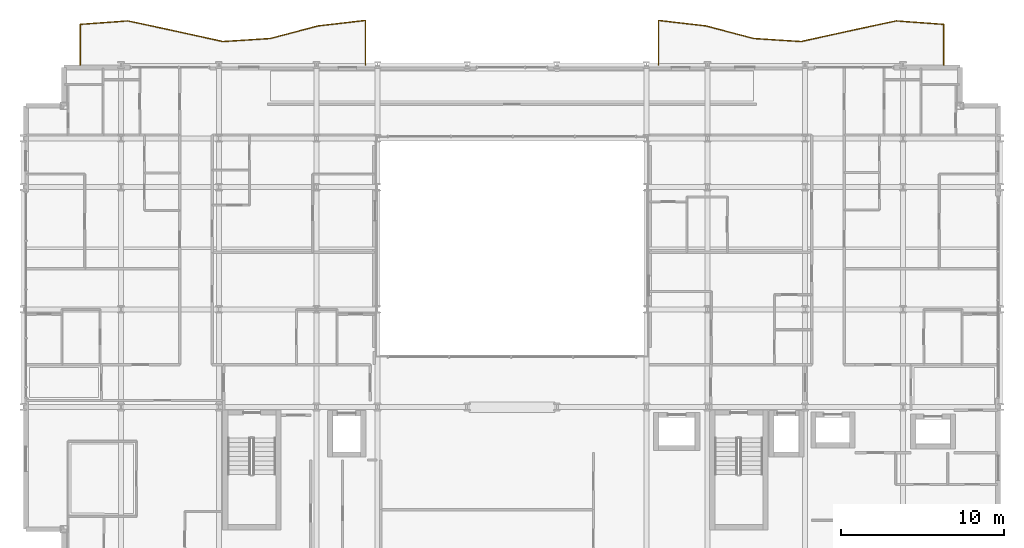
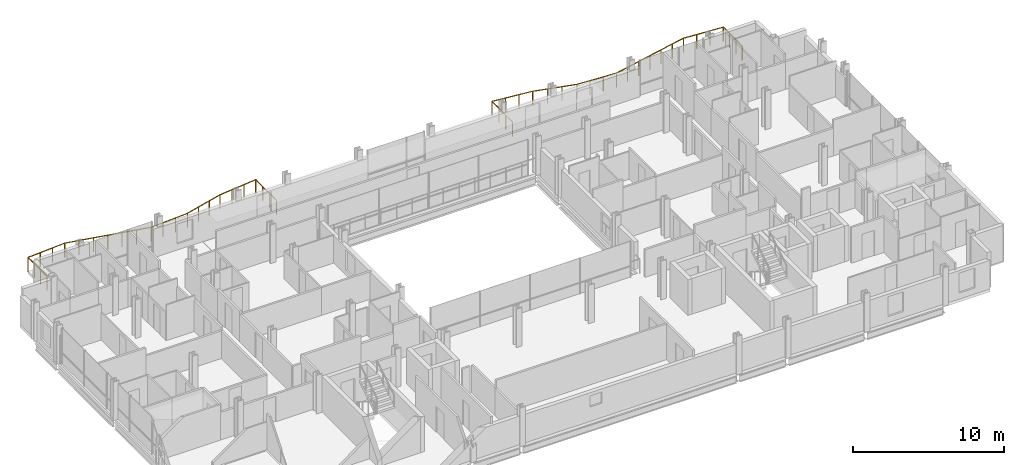
# One storey, part 41 of 41: 2 railings.
"""IFC4 building model written with IfcOpenShell, lengths in metres."""

import ifcopenshell
import ifcopenshell.guid

model = None  # the IFC model being written
_history = None  # IfcOwnerHistory: only IFC2X3 demands one
_inside = {}  # id of a spatial element -> (the spatial element, [elements in it])
_under = {}  # id of a project, library or spatial element -> (it, [spatial elements below it])
_declared = {}  # id of a project -> (the project, [libraries it declares])
_typed = {}  # id of a type object -> (the type object, [elements of that type])
_made_of = {}  # id of a material, layer set ... -> (it, [elements and type objects made of it])


def new_model(schema):
    """Start an empty IFC model of exactly this schema.

    Asked for "IFC4X3", IfcOpenShell would pick the latest addendum, in which some entities
    have other attributes; the version numbers below select the first issue.
    IFC2X3 requires an IfcOwnerHistory on every rooted entity: one is made here for all.
    """
    global model, _history
    if schema == "IFC4X3":
        model = ifcopenshell.file(schema_version=(4, 3, 0, 0))
    else:
        model = ifcopenshell.file(schema=schema)
    _inside.clear()
    _under.clear()
    _declared.clear()
    _typed.clear()
    _made_of.clear()
    _history = None
    if model.schema == "IFC2X3":
        org = make("IfcOrganization", Name="unknown")
        user = make(
            "IfcPersonAndOrganization",
            ThePerson=make("IfcPerson", FamilyName="unknown"),
            TheOrganization=org,
        )
        app = make(
            "IfcApplication",
            ApplicationDeveloper=org,
            Version="unknown",
            ApplicationFullName="unknown",
            ApplicationIdentifier="unknown",
        )
        _history = make(
            "IfcOwnerHistory",
            OwningUser=user,
            OwningApplication=app,
            ChangeAction="ADDED",
            CreationDate=0,
        )
    return model


def make(cls, **values):
    """One entity of the class cls with the attributes given. An attribute that is None is left unset."""
    return model.create_entity(
        cls, **{name: value for name, value in values.items() if value is not None}
    )


def rooted(cls, **values):
    """An entity with a GlobalId (a new one), such as an element, a storey or a relation."""
    return make(cls, GlobalId=ifcopenshell.guid.new(), OwnerHistory=_history, **values)


def si_unit(unit_type, name, prefix=None):
    """IfcSIUnit, for example si_unit("LENGTHUNIT", "METRE", prefix="MILLI")."""
    return make("IfcSIUnit", UnitType=unit_type, Prefix=prefix, Name=name)


def assignment(units):
    """IfcUnitAssignment: the units of a project."""
    return None if units is None else make("IfcUnitAssignment", Units=units)


def point(xyz):
    """IfcCartesianPoint."""
    return None if xyz is None else make("IfcCartesianPoint", Coordinates=xyz)


def direction(xyz):
    """IfcDirection."""
    return None if xyz is None else make("IfcDirection", DirectionRatios=xyz)


def frame(location, z_axis=None, x_axis=None):
    """IfcAxis2Placement3D, a coordinate frame: its origin and axes. An axis left out is left unset."""
    return make(
        "IfcAxis2Placement3D",
        Location=point(location),
        Axis=direction(z_axis),
        RefDirection=direction(x_axis),
    )


def frame_2d(location, x_axis=None):
    """IfcAxis2Placement2D, a coordinate frame in the plane: its origin and x axis."""
    return make(
        "IfcAxis2Placement2D", Location=point(location), RefDirection=direction(x_axis)
    )


def origin():
    """The frame at (0, 0, 0) with its axes left unset."""
    return frame((0.0, 0.0, 0.0))


def origin_2d():
    """The frame at (0, 0) in the plane with its x axis left unset."""
    return frame_2d((0.0, 0.0))


def place(relative_to, where):
    """IfcLocalPlacement: puts the frame where relative to a parent placement (None: the world)."""
    return make(
        "IfcLocalPlacement", PlacementRelTo=relative_to, RelativePlacement=where
    )


def context(
    kind, dimensions, precision=None, world=None, true_north=None, identifier=None
):
    """IfcGeometricRepresentationContext, for example the 3D "Model" context."""
    return make(
        "IfcGeometricRepresentationContext",
        ContextIdentifier=identifier,
        ContextType=kind,
        CoordinateSpaceDimension=dimensions,
        Precision=precision,
        WorldCoordinateSystem=world,
        TrueNorth=true_north,
    )


def subcontext(parent, identifier, kind, view, scale=None):
    """IfcGeometricRepresentationSubContext, for example "Body" below "Model"."""
    return make(
        "IfcGeometricRepresentationSubContext",
        ContextIdentifier=identifier,
        ContextType=kind,
        ParentContext=parent,
        TargetScale=scale,
        TargetView=view,
    )


def project(units=None, contexts=None):
    """IfcProject with its units and contexts."""
    return rooted(
        "IfcProject",
        Name="project",
        RepresentationContexts=contexts,
        UnitsInContext=assignment(units),
    )


def spatial(cls, under=None, at=None, **own):
    """A site, building, storey or space (cls), placed at a placement, below another one or the project."""
    s = rooted(cls, ObjectPlacement=at, **own)
    if under is not None:
        _under.setdefault(under.id(), (under, []))[1].append(s)
    return s


def profile(cls, at=None, kind="AREA", **sizes):
    """A parametric profile (cls). Its sizes go by their IFC names, for example OverallWidth=200.0."""
    return make(cls, ProfileType=kind, Position=at, **sizes)


def circle(**sizes):
    """IfcCircleProfileDef."""
    return profile("IfcCircleProfileDef", **sizes)


def extrude(swept, where, along, depth):
    """IfcExtrudedAreaSolid: the profile swept, set in the frame where, extruded along a direction by depth."""
    return make(
        "IfcExtrudedAreaSolid",
        SweptArea=swept,
        Position=where,
        ExtrudedDirection=direction(along),
        Depth=depth,
    )


def shape(context_of_items, identifier, shape_type, items):
    """IfcShapeRepresentation: the items that make up one representation, for example the "Body"."""
    return make(
        "IfcShapeRepresentation",
        ContextOfItems=context_of_items,
        RepresentationIdentifier=identifier,
        RepresentationType=shape_type,
        Items=items,
    )


def material(Name=None, Category=None):
    """IfcMaterial."""
    return make("IfcMaterial", Name=Name, Category=Category)


def made_of(thing, what):
    """Note that an element or type object is made of a material, layer set ...; save() writes the relation."""
    if what is not None:
        _made_of.setdefault(what.id(), (what, []))[1].append(thing)
    return thing


def type_object(cls, material=None, **own):
    """A type object (cls), such as IfcWallType, which elements share."""
    return made_of(rooted(cls, **own), material)


def element(
    cls,
    number,
    at=None,
    inside=None,
    cuts=None,
    type_object=None,
    material=None,
    context=None,
    identifier="Body",
    shape_type=None,
    held_by="IfcProductDefinitionShape",
    body=None,
    shapes=None,
    **own,
):
    """One element of the class cls, such as IfcWall. Its Tag is "e" and its number.

    at: its placement. inside: the storey or other place that contains it. cuts: it is an
    opening in that element (IfcRelVoidsElement). A single representation is given by context,
    identifier, shape_type and body (its items); several are given by shapes. held_by: the class
    of the entity that holds the representations. save() writes the other relations.
    """
    e = rooted(cls, Tag="e%d" % number, ObjectPlacement=at, **own)
    if body is not None:
        shapes = [shape(context, identifier, shape_type, body)]
    if shapes is not None:
        e.Representation = make(held_by, Representations=shapes)
    if inside is not None:
        _inside.setdefault(inside.id(), (inside, []))[1].append(e)
    if cuts is not None:
        rooted(
            "IfcRelVoidsElement", RelatingBuildingElement=cuts, RelatedOpeningElement=e
        )
    if type_object is not None:
        _typed.setdefault(type_object.id(), (type_object, []))[1].append(e)
    return made_of(e, material)


def aggregate(whole, parts):
    """IfcRelAggregates: a whole, such as a stair, and the parts it consists of."""
    return rooted("IfcRelAggregates", RelatingObject=whole, RelatedObjects=parts)


def save(model, path):
    """Write the relations noted so far, then the file.

    IfcRelAggregates (storeys below a building ...), IfcRelContainedInSpatialStructure (elements
    in a storey), IfcRelDefinesByType, IfcRelAssociatesMaterial and IfcRelDeclares: one each for
    every whole, place, type object, material and project.
    """
    for whole, parts in _under.values():
        aggregate(whole, parts)
    for where, things in _inside.values():
        rooted(
            "IfcRelContainedInSpatialStructure",
            RelatedElements=things,
            RelatingStructure=where,
        )
    for kind, things in _typed.values():
        rooted("IfcRelDefinesByType", RelatedObjects=things, RelatingType=kind)
    for what, things in _made_of.values():
        rooted("IfcRelAssociatesMaterial", RelatedObjects=things, RelatingMaterial=what)
    for by, libraries in _declared.values():
        rooted("IfcRelDeclares", RelatingContext=by, RelatedDefinitions=libraries)
    model.write(path)


model = new_model("IFC4")

# Units and contexts
model_context = context("Model", 3, precision=1e-05, world=origin(), true_north=direction((0.0, 1.0)))
body_context = subcontext(model_context, "Body", "Model", "MODEL_VIEW")
ifc_project = project(units=[si_unit("LENGTHUNIT", "METRE"), si_unit("AREAUNIT", "SQUARE_METRE"), si_unit("VOLUMEUNIT", "CUBIC_METRE"), si_unit("PLANEANGLEUNIT", "RADIAN"), si_unit("MASSUNIT", "GRAM", prefix="KILO")], contexts=[model_context])

# Site, building, storey
site_placement = place(None, origin())
site = spatial("IfcSite", under=ifc_project, at=site_placement, CompositionType="ELEMENT")
building_placement = place(site_placement, origin())
building = spatial("IfcBuilding", under=site, at=building_placement, Name="Brevholm Reach", CompositionType="ELEMENT")
storey_placement = place(building_placement, frame((0.0, 0.0, 49.699951171875)))
storey = spatial("IfcBuildingStorey", under=building, at=storey_placement, Name="L13", CompositionType="ELEMENT", Elevation=49.699951171875)

# Railings
ifc_material = material(Name="Brushed Stainless Steel EN 1.4401 and Laminated Glass", Category="steel")
railing_type = type_object("IfcRailingType", Name="RAL-BALC-1150", PredefinedType="BALUSTRADE", material=ifc_material)
railing_1_placement = place(storey_placement, frame((56.5, 31.0, 0.0)))
element("IfcRailing", 1, at=railing_1_placement, inside=storey, type_object=railing_type, Name="L13 Guard Balustrade RAL-L13-BAL-NE", PredefinedType="BALUSTRADE", context=body_context, shape_type="SweptSolid", body=[
    extrude(circle(Radius=0.02392578125, at=origin_2d()), frame((0.0, 0.0, 1.1259765625), z_axis=(0.0, 1.0, 0.0), x_axis=(-1.0, 0.0, 0.0)), (0.0, 0.0, 1.0), 2.499755859375),
    extrude(circle(Radius=0.02392578125, at=origin_2d()), frame((0.0, 2.499755859375, 1.1259765625), z_axis=(-0.997334760815, 0.072961461535, 0.0), x_axis=(-0.072961461535, -0.997334760815, 0.0)), (0.0, 0.0, 1.0), 2.924560546875),
    extrude(circle(Radius=0.02392578125, at=origin_2d()), frame((-2.916748046875, 2.713134765625, 1.1259765625), z_axis=(-0.977716094956, -0.209931507079, 0.0), x_axis=(0.209931507079, -0.977716094956, 0.0)), (0.0, 0.0, 1.0), 2.98291015625),
    extrude(circle(Radius=0.02392578125, at=origin_2d()), frame((-5.833251953125, 2.0869140625, 1.1259765625), z_axis=(-0.976615982801, -0.214991214093, 0.0), x_axis=(0.214991214093, -0.976615982801, 0.0)), (0.0, 0.0, 1.0), 2.986572265625),
    extrude(circle(Radius=0.02392578125, at=origin_2d()), frame((-8.75, 1.44482421875, 1.1259765625), z_axis=(-0.997945514781, 0.06406831923, 0.0), x_axis=(-0.06406831923, -0.997945514781, 0.0)), (0.0, 0.0, 1.0), 2.9228515625),
    extrude(circle(Radius=0.02392578125, at=origin_2d()), frame((-11.666748046875, 1.632080078125, 1.1259765625), z_axis=(-0.966868735292, 0.255274065889, 0.0), x_axis=(-0.255274065889, -0.966868735292, 0.0)), (0.0, 0.0, 1.0), 3.016357421875),
    extrude(circle(Radius=0.02392578125, at=origin_2d()), frame((-14.583251953125, 2.402099609375, 1.1259765625), z_axis=(-0.99329006652, 0.11564965954, 0.0), x_axis=(-0.11564965954, -0.99329006652, 0.0)), (0.0, 0.0, 1.0), 2.9365234375),
    extrude(circle(Radius=0.02392578125, at=origin_2d()), frame((-17.5, 2.74169921875, 1.1259765625), z_axis=(0.0, -1.0, 0.0), x_axis=(1.0, 0.0, 0.0)), (0.0, 0.0, 1.0), 2.74169921875),
    extrude(circle(Radius=0.02099609375, at=origin_2d()), origin(), (0.0, 0.0, 1.0), 1.101806640625),
    extrude(circle(Radius=0.02099609375, at=origin_2d()), frame((0.0, 0.833251953125, 0.0)), (0.0, 0.0, 1.0), 1.101806640625),
    extrude(circle(Radius=0.02099609375, at=origin_2d()), frame((0.0, 1.66650390625, 0.0)), (0.0, 0.0, 1.0), 1.101806640625),
    extrude(circle(Radius=0.02099609375, at=origin_2d()), frame((0.0, 2.499755859375, 0.0)), (0.0, 0.0, 1.0), 1.101806640625),
    extrude(circle(Radius=0.02099609375, at=origin_2d()), frame((-0.97216796875, 2.57080078125, 0.0)), (0.0, 0.0, 1.0), 1.101806640625),
    extrude(circle(Radius=0.02099609375, at=origin_2d()), frame((-1.944580078125, 2.64208984375, 0.0)), (0.0, 0.0, 1.0), 1.101806640625),
    extrude(circle(Radius=0.02099609375, at=origin_2d()), frame((-2.916748046875, 2.713134765625, 0.0)), (0.0, 0.0, 1.0), 1.101806640625),
    extrude(circle(Radius=0.02099609375, at=origin_2d()), frame((-3.888916015625, 2.50439453125, 0.0)), (0.0, 0.0, 1.0), 1.101806640625),
    extrude(circle(Radius=0.02099609375, at=origin_2d()), frame((-4.861083984375, 2.295654296875, 0.0)), (0.0, 0.0, 1.0), 1.101806640625),
    extrude(circle(Radius=0.02099609375, at=origin_2d()), frame((-5.833251953125, 2.0869140625, 0.0)), (0.0, 0.0, 1.0), 1.101806640625),
    extrude(circle(Radius=0.02099609375, at=origin_2d()), frame((-6.805419921875, 1.872802734375, 0.0)), (0.0, 0.0, 1.0), 1.101806640625),
    extrude(circle(Radius=0.02099609375, at=origin_2d()), frame((-7.77783203125, 1.658935546875, 0.0)), (0.0, 0.0, 1.0), 1.101806640625),
    extrude(circle(Radius=0.02099609375, at=origin_2d()), frame((-8.75, 1.44482421875, 0.0)), (0.0, 0.0, 1.0), 1.101806640625),
    extrude(circle(Radius=0.02099609375, at=origin_2d()), frame((-9.72216796875, 1.50732421875, 0.0)), (0.0, 0.0, 1.0), 1.101806640625),
    extrude(circle(Radius=0.02099609375, at=origin_2d()), frame((-10.694580078125, 1.569580078125, 0.0)), (0.0, 0.0, 1.0), 1.101806640625),
    extrude(circle(Radius=0.02099609375, at=origin_2d()), frame((-11.666748046875, 1.632080078125, 0.0)), (0.0, 0.0, 1.0), 1.101806640625),
    extrude(circle(Radius=0.02099609375, at=origin_2d()), frame((-12.638916015625, 1.888671875, 0.0)), (0.0, 0.0, 1.0), 1.101806640625),
    extrude(circle(Radius=0.02099609375, at=origin_2d()), frame((-13.611083984375, 2.1455078125, 0.0)), (0.0, 0.0, 1.0), 1.101806640625),
    extrude(circle(Radius=0.02099609375, at=origin_2d()), frame((-14.583251953125, 2.402099609375, 0.0)), (0.0, 0.0, 1.0), 1.101806640625),
    extrude(circle(Radius=0.02099609375, at=origin_2d()), frame((-15.555419921875, 2.515380859375, 0.0)), (0.0, 0.0, 1.0), 1.101806640625),
    extrude(circle(Radius=0.02099609375, at=origin_2d()), frame((-16.52783203125, 2.62841796875, 0.0)), (0.0, 0.0, 1.0), 1.101806640625),
    extrude(circle(Radius=0.02099609375, at=origin_2d()), frame((-17.5, 2.74169921875, 0.0)), (0.0, 0.0, 1.0), 1.101806640625),
    extrude(circle(Radius=0.02099609375, at=origin_2d()), frame((-17.5, 1.827880859375, 0.0)), (0.0, 0.0, 1.0), 1.101806640625),
    extrude(circle(Radius=0.02099609375, at=origin_2d()), frame((-17.5, 0.913818359375, 0.0)), (0.0, 0.0, 1.0), 1.101806640625),
    extrude(circle(Radius=0.02099609375, at=origin_2d()), frame((-17.5, 0.0, 0.0)), (0.0, 0.0, 1.0), 1.101806640625),
])
railing_2_placement = place(storey_placement, frame((21.0, 31.0, 0.0)))
element("IfcRailing", 2, at=railing_2_placement, inside=storey, type_object=railing_type, Name="L13 Guard Balustrade RAL-L13-BAL-NW", PredefinedType="BALUSTRADE", context=body_context, shape_type="SweptSolid", body=[
    extrude(circle(Radius=0.02392578125, at=origin_2d()), frame((0.0, 0.0, 1.1259765625), z_axis=(0.0, 1.0, 0.0), x_axis=(-1.0, 0.0, 0.0)), (0.0, 0.0, 1.0), 2.74169921875),
    extrude(circle(Radius=0.02392578125, at=origin_2d()), frame((0.0, 2.74169921875, 1.1259765625), z_axis=(-0.99329006652, -0.11564965954, 0.0), x_axis=(0.11564965954, -0.99329006652, 0.0)), (0.0, 0.0, 1.0), 2.9365234375),
    extrude(circle(Radius=0.02392578125, at=origin_2d()), frame((-2.916748046875, 2.402099609375, 1.1259765625), z_axis=(-0.966868735292, -0.255274065889, 0.0), x_axis=(0.255274065889, -0.966868735292, 0.0)), (0.0, 0.0, 1.0), 3.016357421875),
    extrude(circle(Radius=0.02392578125, at=origin_2d()), frame((-5.833251953125, 1.632080078125, 1.1259765625), z_axis=(-0.997945514781, -0.06406831923, 0.0), x_axis=(0.06406831923, -0.997945514781, 0.0)), (0.0, 0.0, 1.0), 2.9228515625),
    extrude(circle(Radius=0.02392578125, at=origin_2d()), frame((-8.75, 1.44482421875, 1.1259765625), z_axis=(-0.976615982801, 0.214991214093, 0.0), x_axis=(-0.214991214093, -0.976615982801, 0.0)), (0.0, 0.0, 1.0), 2.986572265625),
    extrude(circle(Radius=0.02392578125, at=origin_2d()), frame((-11.666748046875, 2.0869140625, 1.1259765625), z_axis=(-0.977716094956, 0.209931507079, 0.0), x_axis=(-0.209931507079, -0.977716094956, 0.0)), (0.0, 0.0, 1.0), 2.98291015625),
    extrude(circle(Radius=0.02392578125, at=origin_2d()), frame((-14.583251953125, 2.713134765625, 1.1259765625), z_axis=(-0.997334760815, -0.072961461535, 0.0), x_axis=(0.072961461535, -0.997334760815, 0.0)), (0.0, 0.0, 1.0), 2.924560546875),
    extrude(circle(Radius=0.02392578125, at=origin_2d()), frame((-17.5, 2.499755859375, 1.1259765625), z_axis=(0.0, -1.0, 0.0), x_axis=(1.0, 0.0, 0.0)), (0.0, 0.0, 1.0), 2.499755859375),
    extrude(circle(Radius=0.02099609375, at=origin_2d()), origin(), (0.0, 0.0, 1.0), 1.101806640625),
    extrude(circle(Radius=0.02099609375, at=origin_2d()), frame((0.0, 0.913818359375, 0.0)), (0.0, 0.0, 1.0), 1.101806640625),
    extrude(circle(Radius=0.02099609375, at=origin_2d()), frame((0.0, 1.827880859375, 0.0)), (0.0, 0.0, 1.0), 1.101806640625),
    extrude(circle(Radius=0.02099609375, at=origin_2d()), frame((0.0, 2.74169921875, 0.0)), (0.0, 0.0, 1.0), 1.101806640625),
    extrude(circle(Radius=0.02099609375, at=origin_2d()), frame((-0.97216796875, 2.62841796875, 0.0)), (0.0, 0.0, 1.0), 1.101806640625),
    extrude(circle(Radius=0.02099609375, at=origin_2d()), frame((-1.944580078125, 2.515380859375, 0.0)), (0.0, 0.0, 1.0), 1.101806640625),
    extrude(circle(Radius=0.02099609375, at=origin_2d()), frame((-2.916748046875, 2.402099609375, 0.0)), (0.0, 0.0, 1.0), 1.101806640625),
    extrude(circle(Radius=0.02099609375, at=origin_2d()), frame((-3.888916015625, 2.1455078125, 0.0)), (0.0, 0.0, 1.0), 1.101806640625),
    extrude(circle(Radius=0.02099609375, at=origin_2d()), frame((-4.861083984375, 1.888671875, 0.0)), (0.0, 0.0, 1.0), 1.101806640625),
    extrude(circle(Radius=0.02099609375, at=origin_2d()), frame((-5.833251953125, 1.632080078125, 0.0)), (0.0, 0.0, 1.0), 1.101806640625),
    extrude(circle(Radius=0.02099609375, at=origin_2d()), frame((-6.805419921875, 1.569580078125, 0.0)), (0.0, 0.0, 1.0), 1.101806640625),
    extrude(circle(Radius=0.02099609375, at=origin_2d()), frame((-7.77783203125, 1.50732421875, 0.0)), (0.0, 0.0, 1.0), 1.101806640625),
    extrude(circle(Radius=0.02099609375, at=origin_2d()), frame((-8.75, 1.44482421875, 0.0)), (0.0, 0.0, 1.0), 1.101806640625),
    extrude(circle(Radius=0.02099609375, at=origin_2d()), frame((-9.72216796875, 1.658935546875, 0.0)), (0.0, 0.0, 1.0), 1.101806640625),
    extrude(circle(Radius=0.02099609375, at=origin_2d()), frame((-10.694580078125, 1.872802734375, 0.0)), (0.0, 0.0, 1.0), 1.101806640625),
    extrude(circle(Radius=0.02099609375, at=origin_2d()), frame((-11.666748046875, 2.0869140625, 0.0)), (0.0, 0.0, 1.0), 1.101806640625),
    extrude(circle(Radius=0.02099609375, at=origin_2d()), frame((-12.638916015625, 2.295654296875, 0.0)), (0.0, 0.0, 1.0), 1.101806640625),
    extrude(circle(Radius=0.02099609375, at=origin_2d()), frame((-13.611083984375, 2.50439453125, 0.0)), (0.0, 0.0, 1.0), 1.101806640625),
    extrude(circle(Radius=0.02099609375, at=origin_2d()), frame((-14.583251953125, 2.713134765625, 0.0)), (0.0, 0.0, 1.0), 1.101806640625),
    extrude(circle(Radius=0.02099609375, at=origin_2d()), frame((-15.555419921875, 2.64208984375, 0.0)), (0.0, 0.0, 1.0), 1.101806640625),
    extrude(circle(Radius=0.02099609375, at=origin_2d()), frame((-16.52783203125, 2.57080078125, 0.0)), (0.0, 0.0, 1.0), 1.101806640625),
    extrude(circle(Radius=0.02099609375, at=origin_2d()), frame((-17.5, 2.499755859375, 0.0)), (0.0, 0.0, 1.0), 1.101806640625),
    extrude(circle(Radius=0.02099609375, at=origin_2d()), frame((-17.5, 1.66650390625, 0.0)), (0.0, 0.0, 1.0), 1.101806640625),
    extrude(circle(Radius=0.02099609375, at=origin_2d()), frame((-17.5, 0.833251953125, 0.0)), (0.0, 0.0, 1.0), 1.101806640625),
    extrude(circle(Radius=0.02099609375, at=origin_2d()), frame((-17.5, 0.0, 0.0)), (0.0, 0.0, 1.0), 1.101806640625),
])

save(model, "model.ifc")
